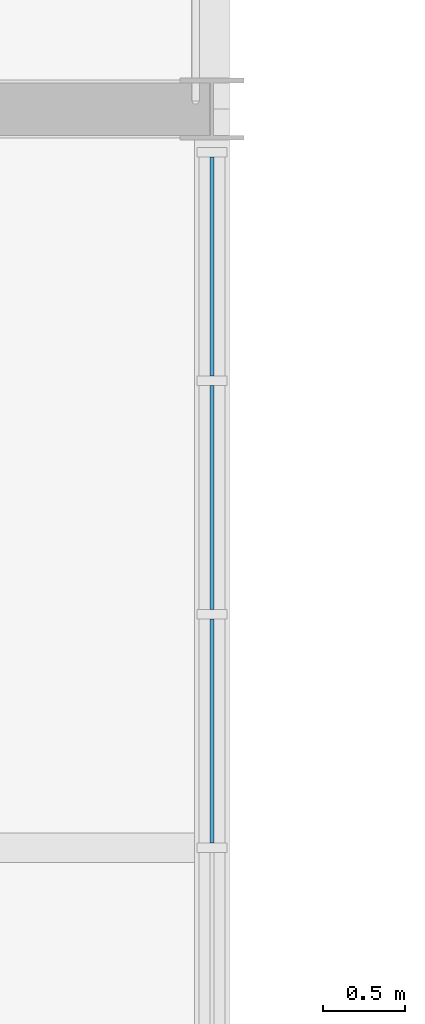
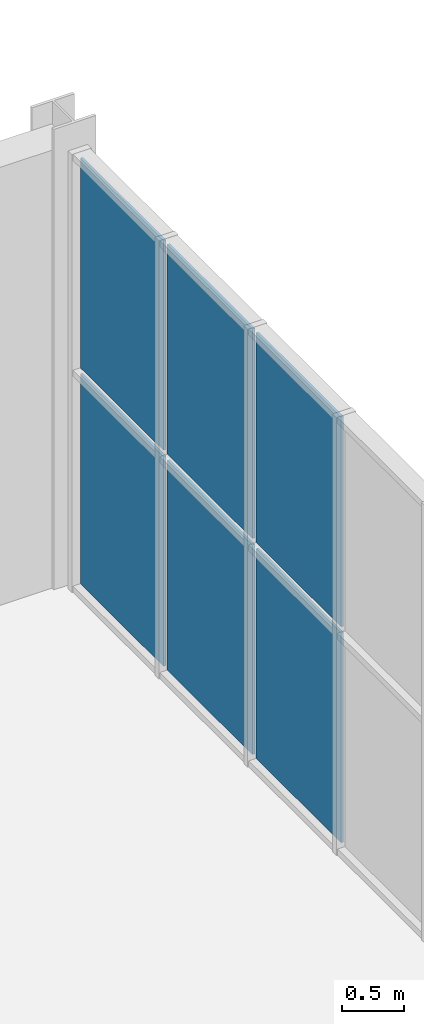
# One storey, part 76 of 103: 6 plates, 1 element without a shape of its own.
"""IFC4 building model written with IfcOpenShell, lengths in metres."""

from ifc_helpers import new_model, si_unit, direction, frame, origin, origin_2d, place, context, subcontext, project, spatial, rectangle, extrude, material, layer, layer_set, type_object, element, aggregate, save


model = new_model("IFC4")

# Units and contexts
model_context = context("Model", 3, precision=1e-05, world=origin(), true_north=direction((0.0, 1.0)))
body_context = subcontext(model_context, "Body", "Model", "MODEL_VIEW")
ifc_project = project(units=[si_unit("LENGTHUNIT", "METRE"), si_unit("AREAUNIT", "SQUARE_METRE"), si_unit("VOLUMEUNIT", "CUBIC_METRE"), si_unit("PLANEANGLEUNIT", "RADIAN"), si_unit("MASSUNIT", "GRAM", prefix="KILO")], contexts=[model_context])

# Site, building, storey
site_placement = place(None, origin())
site = spatial("IfcSite", under=ifc_project, at=site_placement, CompositionType="ELEMENT")
building_placement = place(site_placement, origin())
building = spatial("IfcBuilding", under=site, at=building_placement, Name="Cazmaro Siding Exhibition Halls", CompositionType="ELEMENT")
storey_placement = place(building_placement, frame((0.0, 0.0, 16.5)))
storey = spatial("IfcBuildingStorey", under=building, at=storey_placement, Name="L03", CompositionType="ELEMENT", Elevation=16.5)

# Curtain wall, plates
ifc_material_1 = material(Name="Anodized Bronze Aluminum and Solar-Control Low-E Glazing", Category="aluminium")
ifc_layer_1 = layer(ifc_material_1, 0.179931640625)
ifc_layer_set_1 = layer_set([ifc_layer_1], Name="Anodized Bronze Aluminum and Solar-Control Low-E Glazing")
curtain_wall_type = type_object("IfcCurtainWallType", Name="CWS-01", PredefinedType="USERDEFINED", material=ifc_layer_set_1)
curtain_wall_placement = place(storey_placement, origin())
curtain_wall = element("IfcCurtainWall", 1, at=curtain_wall_placement, inside=storey, type_object=curtain_wall_type, Name="Glazed Curtain Wall CWS-01 CW-255", ObjectType="GLAZED CURTAIN WALL", PredefinedType="USERDEFINED")
ifc_material_2 = material(Name="Solar-Control Low-E Double Insulating Glass", Category="glass")
ifc_layer_2 = layer(ifc_material_2, 0.02392578125)
ifc_layer_set_2 = layer_set([ifc_layer_2], Name="Solar-Control Low-E Double Insulating Glass")
plate_type = type_object("IfcPlateType", Name="CWP-01", PredefinedType="CURTAIN_PANEL", material=ifc_layer_set_2)
plate_1_placement = place(storey_placement, frame((36.0, 105.211181640625, 0.06005859375), z_axis=(0.0, 0.0, 1.0), x_axis=(0.0, 1.0, 0.0)))
plate_1 = element("IfcPlate", 2, at=plate_1_placement, type_object=plate_type, Name="CWS-01 panel 4.1", PredefinedType="CURTAIN_PANEL", context=body_context, shape_type="SweptSolid", body=[
    extrude(rectangle(XDim=1.3623046875, YDim=0.02392578125, at=origin_2d()), origin(), (0.0, 0.0, 1.0), 2.050048828125),
])
plate_2_placement = place(storey_placement, frame((36.0, 105.211181640625, 2.169921875), z_axis=(0.0, 0.0, 1.0), x_axis=(0.0, 1.0, 0.0)))
plate_2 = element("IfcPlate", 3, at=plate_2_placement, type_object=plate_type, Name="CWS-01 panel 4.2", PredefinedType="CURTAIN_PANEL", context=body_context, shape_type="SweptSolid", body=[
    extrude(rectangle(XDim=1.3623046875, YDim=0.02392578125, at=origin_2d()), origin(), (0.0, 0.0, 1.0), 2.050048828125),
])
plate_3_placement = place(storey_placement, frame((36.0, 106.633544921875, 0.06005859375), z_axis=(0.0, 0.0, 1.0), x_axis=(0.0, 1.0, 0.0)))
plate_3 = element("IfcPlate", 4, at=plate_3_placement, type_object=plate_type, Name="CWS-01 panel 5.1", PredefinedType="CURTAIN_PANEL", context=body_context, shape_type="SweptSolid", body=[
    extrude(rectangle(XDim=1.3623046875, YDim=0.02392578125, at=origin_2d()), origin(), (0.0, 0.0, 1.0), 2.050048828125),
])
plate_4_placement = place(storey_placement, frame((36.0, 106.633544921875, 2.169921875), z_axis=(0.0, 0.0, 1.0), x_axis=(0.0, 1.0, 0.0)))
plate_4 = element("IfcPlate", 5, at=plate_4_placement, type_object=plate_type, Name="CWS-01 panel 5.2", PredefinedType="CURTAIN_PANEL", context=body_context, shape_type="SweptSolid", body=[
    extrude(rectangle(XDim=1.3623046875, YDim=0.02392578125, at=origin_2d()), origin(), (0.0, 0.0, 1.0), 2.050048828125),
])
plate_5_placement = place(storey_placement, frame((36.0, 108.040771484375, 0.06005859375), z_axis=(0.0, 0.0, 1.0), x_axis=(0.0, 1.0, 0.0)))
plate_5 = element("IfcPlate", 6, at=plate_5_placement, type_object=plate_type, Name="CWS-01 panel 6.1", PredefinedType="CURTAIN_PANEL", context=body_context, shape_type="SweptSolid", body=[
    extrude(rectangle(XDim=1.332275390625, YDim=0.02392578125, at=origin_2d()), origin(), (0.0, 0.0, 1.0), 2.050048828125),
])
plate_6_placement = place(storey_placement, frame((36.0, 108.040771484375, 2.169921875), z_axis=(0.0, 0.0, 1.0), x_axis=(0.0, 1.0, 0.0)))
plate_6 = element("IfcPlate", 7, at=plate_6_placement, type_object=plate_type, Name="CWS-01 panel 6.2", PredefinedType="CURTAIN_PANEL", context=body_context, shape_type="SweptSolid", body=[
    extrude(rectangle(XDim=1.332275390625, YDim=0.02392578125, at=origin_2d()), origin(), (0.0, 0.0, 1.0), 2.050048828125),
])
aggregate(curtain_wall, [plate_1, plate_2, plate_3, plate_4, plate_5, plate_6])

save(model, "model.ifc")
